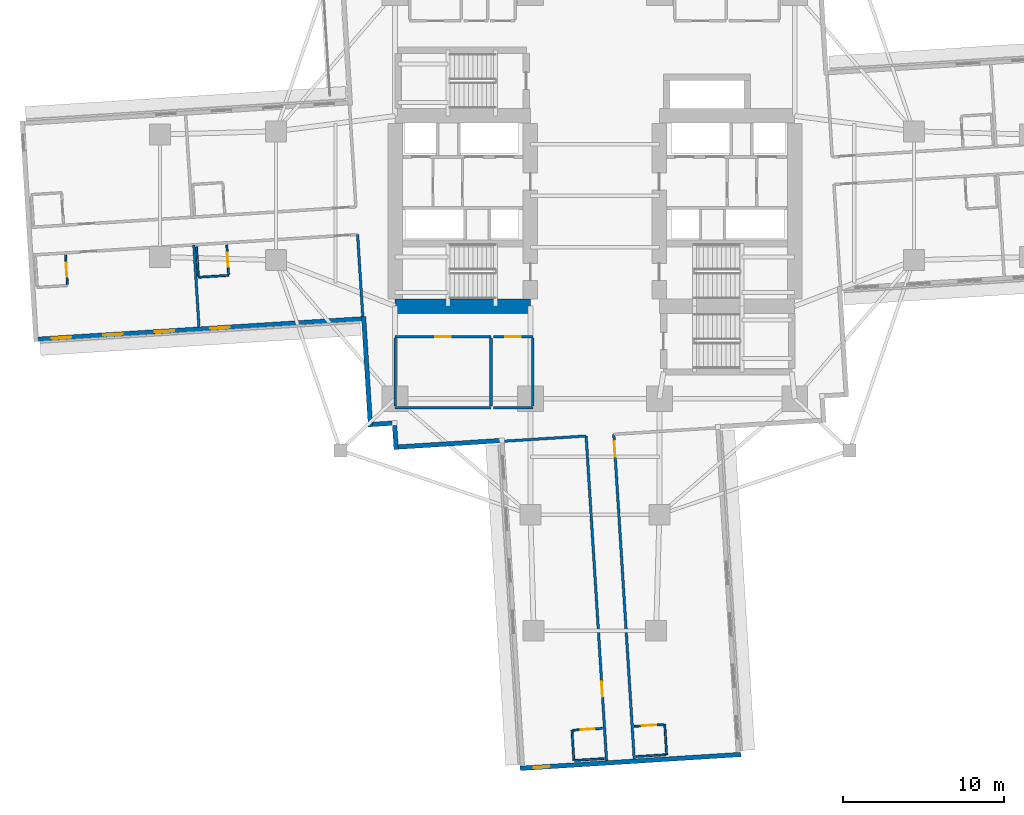
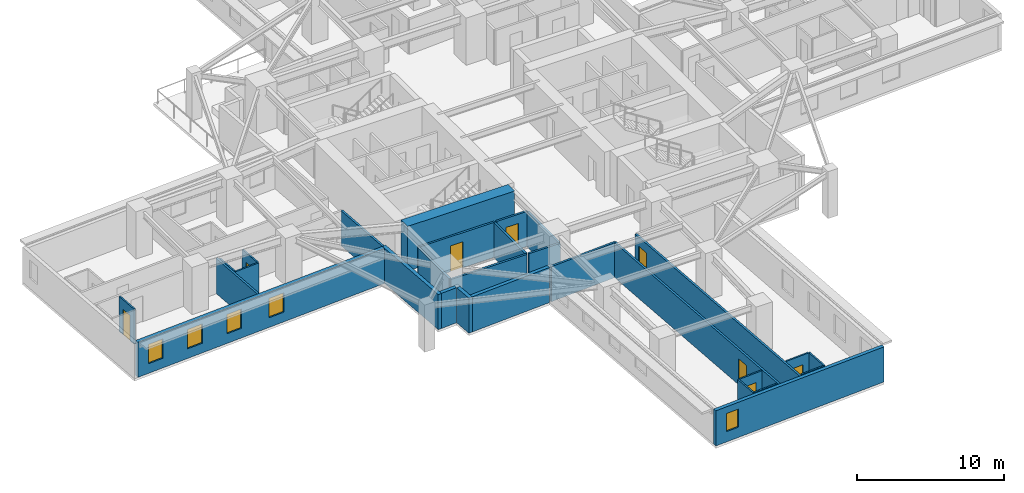
# One storey, part 3 of 14: 29 walls, 8 doors, 5 windows, 13 openings.
"""IFC4 building model written with IfcOpenShell, lengths in metres."""

from ifc_helpers import new_model, si_unit, direction, frame, frame_2d, origin, place, context, subcontext, project, spatial, rectangle, extrude, material, layer, layer_set, type_object, element, fill, save


model = new_model("IFC4")

# Units and contexts
model_context = context("Model", 3, precision=1e-05, world=origin(), true_north=direction((0.0, 1.0)))
body_context = subcontext(model_context, "Body", "Model", "MODEL_VIEW")
ifc_project = project(units=[si_unit("LENGTHUNIT", "METRE"), si_unit("AREAUNIT", "SQUARE_METRE"), si_unit("VOLUMEUNIT", "CUBIC_METRE"), si_unit("PLANEANGLEUNIT", "RADIAN"), si_unit("MASSUNIT", "GRAM", prefix="KILO")], contexts=[model_context])

# Site, building, storey
site_placement = place(None, origin())
site = spatial("IfcSite", under=ifc_project, at=site_placement, CompositionType="ELEMENT")
building_placement = place(site_placement, origin())
building = spatial("IfcBuilding", under=site, at=building_placement, Name="Qingluan Cross Belvedere", CompositionType="ELEMENT")
storey_placement = place(building_placement, frame((0.0, 0.0, 39.300048828125)))
storey = spatial("IfcBuildingStorey", under=building, at=storey_placement, Name="L10", CompositionType="ELEMENT", Elevation=39.300048828125)

# Walls
ifc_material_1 = material(Name="Concrete C70", Category="concrete")
ifc_layer_1 = layer(ifc_material_1, 0.89990234375, Name="CoreShearWall_900")
ifc_layer_set_1 = layer_set([ifc_layer_1], Name="Concrete C70")
wall_type_1 = type_object("IfcWallType", Name="CoreShearWall_900", PredefinedType="SHEAR", material=ifc_layer_set_1)
wall_1_placement = place(storey_placement, frame((-12.39990234375, -6.85009765625, 0.0), z_axis=(0.0, 0.0, 1.0), x_axis=(1.0, 0.0, 0.0)))
element("IfcWall", 1, at=wall_1_placement, inside=storey, type_object=wall_type_1, Name="Split core W shear wall L10-S", PredefinedType="SHEAR", context=body_context, shape_type="SweptSolid", body=[
    extrude(rectangle(XDim=8.39990234375, YDim=0.89990234375, at=frame_2d((4.199951171875, 0.0))), origin(), (0.0, 0.0, 1.0), 3.699951171875),
])
ifc_material_2 = material(Name="Gypsum plasterboard on steel stud acoustic partition", Category="steel")
ifc_layer_2 = layer(ifc_material_2, 0.159912109375, Name="CorridorPartition_160")
ifc_layer_set_2 = layer_set([ifc_layer_2], Name="Gypsum plasterboard on steel stud acoustic partition")
wall_type_2 = type_object("IfcWallType", Name="CorridorPartition_160", PredefinedType="PARTITIONING", material=ifc_layer_set_2)
wall_2_placement = place(storey_placement, frame((-12.39990234375, -13.14990234375, 0.0), z_axis=(0.0, 0.0, 1.0), x_axis=(1.0, 0.0, 0.0)))
element("IfcWall", 2, at=wall_2_placement, inside=storey, type_object=wall_type_2, Name="Partition L10:q_sw1:S", PredefinedType="PARTITIONING", context=body_context, shape_type="SweptSolid", body=[
    extrude(rectangle(XDim=5.949951171875, YDim=0.159912109375, at=frame_2d((2.97509765625, 0.0))), origin(), (0.0, 0.0, 1.0), 2.89990234375),
])

# Wall, opening, door
wall_3_placement = place(storey_placement, frame((-12.39990234375, -8.75, 0.0), z_axis=(0.0, 0.0, 1.0), x_axis=(1.0, 0.0, 0.0)))
wall_3 = element("IfcWall", 3, at=wall_3_placement, inside=storey, type_object=wall_type_2, Name="Partition L10:q_sw1:N", PredefinedType="PARTITIONING", context=body_context, shape_type="SweptSolid", body=[
    extrude(rectangle(XDim=5.949951171875, YDim=0.159912109375, at=frame_2d((2.97509765625, 0.0))), origin(), (0.0, 0.0, 1.0), 2.89990234375),
])
opening_1_placement = place(wall_3_placement, frame((2.4951171875, 0.0, 0.0)))
opening_1 = element("IfcOpeningElement", 4, at=opening_1_placement, cuts=wall_3, Name="Opening GD-10", PredefinedType="OPENING", context=body_context, shape_type="SweptSolid", body=[
    extrude(rectangle(XDim=0.9599609375, YDim=2.14990234375, at=frame_2d((0.47998046875, 1.074951171875))), frame((0.0, 0.08984375, 0.0), z_axis=(0.0, -1.0, 0.0), x_axis=(1.0, 0.0, 0.0)), (0.0, 0.0, 1.0), 0.179931640625),
])
ifc_material_3 = material(Name="Timber oak fire-rated acoustic guestroom door", Category="wood")
door_type_1 = type_object("IfcDoorType", Name="GuestEntryDoor_FD60", OperationType="NOTDEFINED", PredefinedType="DOOR", material=ifc_material_3)
door_1_placement = place(opening_1_placement, origin())
door_1 = element("IfcDoor", 5, at=door_1_placement, inside=storey, type_object=door_type_1, Name="Private boardroom suite L10 door", OperationType="SINGLE_SWING_LEFT", OverallHeight=2.14990234375, OverallWidth=0.9599609375, PredefinedType="DOOR", context=body_context, shape_type="SweptSolid", body=[
    extrude(rectangle(XDim=0.9599609375, YDim=2.14990234375, at=frame_2d((0.47998046875, 1.074951171875))), frame((0.0, 0.02490234375, 0.0), z_axis=(0.0, -1.0, 0.0), x_axis=(1.0, 0.0, 0.0)), (0.0, 0.0, 1.0), 0.050048828125),
])
fill(opening_1, door_1)

# Walls
for number, where, z_axis, x_axis, name in (
    (6, (-12.39990234375, -13.06494140625, 0.0), (0.0, 0.0, 1.0), (0.0, 1.0, 0.0), "Partition L10:q_sw1:W"),
    (7, (-6.449951171875, -13.06494140625, 0.0), (0.0, 0.0, 1.0), (0.0, 1.0, 0.0), "Partition L10:q_sw1:E"),
):
    element("IfcWall", number, at=place(storey_placement, frame(where, z_axis=z_axis, x_axis=x_axis)), inside=storey, type_object=wall_type_2, Name=name, PredefinedType="PARTITIONING", context=body_context, shape_type="SweptSolid", body=[
        extrude(rectangle(XDim=4.22998046875, YDim=0.159912109375, at=frame_2d((2.114990234375, 0.0))), origin(), (0.0, 0.0, 1.0), 2.89990234375),
    ])
wall_4_placement = place(storey_placement, frame((-6.2900390625, -13.14990234375, 0.0), z_axis=(0.0, 0.0, 1.0), x_axis=(1.0, 0.0, 0.0)))
element("IfcWall", 8, at=wall_4_placement, inside=storey, type_object=wall_type_2, Name="Partition L10:q_sw2:S", PredefinedType="PARTITIONING", context=body_context, shape_type="SweptSolid", body=[
    extrude(rectangle(XDim=2.43994140625, YDim=0.159912109375, at=frame_2d((1.219970703125, 0.0))), origin(), (0.0, 0.0, 1.0), 2.89990234375),
])

# Wall, opening, door
wall_5_placement = place(storey_placement, frame((-6.2900390625, -8.75, 0.0), z_axis=(0.0, 0.0, 1.0), x_axis=(1.0, 0.0, 0.0)))
wall_5 = element("IfcWall", 9, at=wall_5_placement, inside=storey, type_object=wall_type_2, Name="Partition L10:q_sw2:N", PredefinedType="PARTITIONING", context=body_context, shape_type="SweptSolid", body=[
    extrude(rectangle(XDim=2.43994140625, YDim=0.159912109375, at=frame_2d((1.219970703125, 0.0))), origin(), (0.0, 0.0, 1.0), 2.89990234375),
])
opening_2_placement = place(wall_5_placement, frame((0.739990234375, 0.0, 0.0)))
opening_2 = element("IfcOpeningElement", 10, at=opening_2_placement, cuts=wall_5, Name="Opening GD-10", PredefinedType="OPENING", context=body_context, shape_type="SweptSolid", body=[
    extrude(rectangle(XDim=0.9599609375, YDim=2.14990234375, at=frame_2d((0.47998046875, 1.074951171875))), frame((0.0, 0.08984375, 0.0), z_axis=(0.0, -1.0, 0.0), x_axis=(1.0, 0.0, 0.0)), (0.0, 0.0, 1.0), 0.179931640625),
])
door_2_placement = place(opening_2_placement, origin())
door_2 = element("IfcDoor", 11, at=door_2_placement, inside=storey, type_object=door_type_1, Name="Southwest reading room L10 door", OperationType="SINGLE_SWING_RIGHT", OverallHeight=2.14990234375, OverallWidth=0.9599609375, PredefinedType="DOOR", context=body_context, shape_type="SweptSolid", body=[
    extrude(rectangle(XDim=0.9599609375, YDim=2.14990234375, at=frame_2d((0.47998046875, 1.074951171875))), frame((0.0, 0.02490234375, 0.0), z_axis=(0.0, -1.0, 0.0), x_axis=(1.0, 0.0, 0.0)), (0.0, 0.0, 1.0), 0.050048828125),
])
fill(opening_2, door_2)

# Walls
wall_6_placement = place(storey_placement, frame((-3.85009765625, -13.06494140625, 0.0), z_axis=(0.0, 0.0, 1.0), x_axis=(0.0, 1.0, 0.0)))
element("IfcWall", 12, at=wall_6_placement, inside=storey, type_object=wall_type_2, Name="Partition L10:q_sw2:E", PredefinedType="PARTITIONING", context=body_context, shape_type="SweptSolid", body=[
    extrude(rectangle(XDim=4.22998046875, YDim=0.159912109375, at=frame_2d((2.114990234375, 0.0))), origin(), (0.0, 0.0, 1.0), 2.89990234375),
])
for number, where, z_axis, x_axis, name in (
    (13, (-14.727783203125, -2.409423828125, 0.0), (0.0, 0.0, 1.0), (0.06280810744, -0.998025621735, 0.0), "Partition L10:W:s1"),
    (14, (-24.892578125, -3.049072265625, 0.0), (0.0, 0.0, 1.0), (0.062760351241, -0.998028625998, 0.0), "Partition L10:W:d1_0"),
):
    element("IfcWall", number, at=place(storey_placement, frame(where, z_axis=z_axis, x_axis=x_axis)), inside=storey, type_object=wall_type_2, Name=name, PredefinedType="PARTITIONING", context=body_context, shape_type="SweptSolid", body=[
        extrude(rectangle(XDim=5.092041015625, YDim=0.159912109375, at=frame_2d((2.5458984375, 0.0))), origin(), (0.0, 0.0, 1.0), 2.89990234375),
    ])

# Wall, opening, door
wall_7_placement = place(storey_placement, frame((1.172119140625, -14.8056640625, 0.0), z_axis=(0.0, 0.0, 1.0), x_axis=(0.062783460104, -0.998027172545, 0.0)))
wall_7 = element("IfcWall", 15, at=wall_7_placement, inside=storey, type_object=wall_type_2, Name="Partition L10:S:c0", PredefinedType="PARTITIONING", context=body_context, shape_type="SweptSolid", body=[
    extrude(rectangle(XDim=20.181884765625, YDim=0.159912109375, at=frame_2d((10.0908203125, 0.0))), origin(), (0.0, 0.0, 1.0), 2.89990234375),
])
opening_3_placement = place(wall_7_placement, frame((0.449951171875, 0.0, 0.0)))
opening_3 = element("IfcOpeningElement", 16, at=opening_3_placement, cuts=wall_7, Name="Opening GD-10", PredefinedType="OPENING", context=body_context, shape_type="SweptSolid", body=[
    extrude(rectangle(XDim=0.9599609375, YDim=2.14990234375, at=frame_2d((0.47998046875, 1.074951171875))), frame((0.0, 0.08984375, 0.0), z_axis=(0.0, -1.0, 0.0), x_axis=(1.0, 0.0, 0.0)), (0.0, 0.0, 1.0), 0.179931640625),
])
door_3_placement = place(opening_3_placement, origin())
door_3 = element("IfcDoor", 17, at=door_3_placement, inside=storey, type_object=door_type_1, Name="Guest entry fire door 1013", OperationType="SINGLE_SWING_LEFT", OverallHeight=2.14990234375, OverallWidth=0.9599609375, PredefinedType="DOOR", context=body_context, shape_type="SweptSolid", body=[
    extrude(rectangle(XDim=0.9599609375, YDim=2.14990234375, at=frame_2d((0.47998046875, 1.074951171875))), frame((0.0, 0.02490234375, 0.0), z_axis=(0.0, -1.0, 0.0), x_axis=(1.0, 0.0, 0.0)), (0.0, 0.0, 1.0), 0.050048828125),
])
fill(opening_3, door_3)

wall_8_placement = place(storey_placement, frame((-0.544677734375, -14.91357421875, 0.0), z_axis=(0.0, 0.0, 1.0), x_axis=(0.062794751284, -0.99802646218, 0.0)))
wall_8 = element("IfcWall", 18, at=wall_8_placement, inside=storey, type_object=wall_type_2, Name="Partition L10:S:c1", PredefinedType="PARTITIONING", context=body_context, shape_type="SweptSolid", body=[
    extrude(rectangle(XDim=20.18212890625, YDim=0.159912109375, at=frame_2d((10.091064453125, 0.0))), origin(), (0.0, 0.0, 1.0), 2.89990234375),
])
opening_4_placement = place(wall_8_placement, frame((15.263916015625, 0.0, 0.0)))
opening_4 = element("IfcOpeningElement", 19, at=opening_4_placement, cuts=wall_8, Name="Opening GD-10", PredefinedType="OPENING", context=body_context, shape_type="SweptSolid", body=[
    extrude(rectangle(XDim=0.9599609375, YDim=2.14990234375, at=frame_2d((0.47998046875, 1.074951171875))), frame((0.0, 0.08984375, 0.0), z_axis=(0.0, -1.0, 0.0), x_axis=(1.0, 0.0, 0.0)), (0.0, 0.0, 1.0), 0.179931640625),
])
door_4_placement = place(opening_4_placement, origin())
door_4 = element("IfcDoor", 20, at=door_4_placement, inside=storey, type_object=door_type_1, Name="Guest entry fire door 1014", OperationType="SINGLE_SWING_LEFT", OverallHeight=2.14990234375, OverallWidth=0.9599609375, PredefinedType="DOOR", context=body_context, shape_type="SweptSolid", body=[
    extrude(rectangle(XDim=0.9599609375, YDim=2.14990234375, at=frame_2d((0.47998046875, 1.074951171875))), frame((0.0, 0.02490234375, 0.0), z_axis=(0.0, -1.0, 0.0), x_axis=(1.0, 0.0, 0.0)), (0.0, 0.0, 1.0), 0.050048828125),
])
fill(opening_4, door_4)

# Wall
wall_9_placement = place(storey_placement, frame((-0.544677734375, -14.91357421875, 0.0), z_axis=(0.0, 0.0, 1.0), x_axis=(-0.998025838074, -0.062804669704, 0.0)))
element("IfcWall", 21, at=wall_9_placement, inside=storey, type_object=wall_type_2, Name="Partition L10:S:s1", PredefinedType="PARTITIONING", context=body_context, shape_type="SweptSolid", body=[
    extrude(rectangle(XDim=5.239990234375, YDim=0.159912109375, at=frame_2d((2.6201171875, 0.0))), origin(), (0.0, 0.0, 1.0), 2.89990234375),
])

# Wall, opening, door
ifc_material_4 = material(Name="Moisture-resistant gypsum board lining")
ifc_layer_3 = layer(ifc_material_4, 0.1201171875, Name="EnsuiteWetPartition_120")
ifc_layer_set_3 = layer_set([ifc_layer_3], Name="Moisture-resistant gypsum board lining")
wall_type_3 = type_object("IfcWallType", Name="EnsuiteWetPartition_120", PredefinedType="PARTITIONING", material=ifc_layer_set_3)
wall_10_placement = place(storey_placement, frame((-22.733642578125, -4.877197265625, 0.0), z_axis=(0.0, 0.0, 1.0), x_axis=(-0.062779145668, 0.998027443946, 0.0)))
wall_10 = element("IfcWall", 22, at=wall_10_placement, inside=storey, type_object=wall_type_3, Name="Partition L10:W:bs1_0", PredefinedType="PARTITIONING", context=body_context, shape_type="SweptSolid", body=[
    extrude(rectangle(XDim=1.820068359375, YDim=0.1201171875, at=frame_2d((0.91015625, 0.0))), origin(), (0.0, 0.0, 1.0), 2.89990234375),
])
opening_5_placement = place(wall_10_placement, frame((0.469970703125, 0.0, 0.0)))
opening_5 = element("IfcOpeningElement", 23, at=opening_5_placement, cuts=wall_10, Name="Opening BD-09", PredefinedType="OPENING", context=body_context, shape_type="SweptSolid", body=[
    extrude(rectangle(XDim=0.8798828125, YDim=2.10009765625, at=frame_2d((0.43994140625, 1.050048828125))), frame((0.0, 0.070068359375, 0.0), z_axis=(0.0, -1.0, 0.0), x_axis=(1.0, 0.0, 0.0)), (0.0, 0.0, 1.0), 0.14013671875),
])
ifc_material_5 = material(Name="Moisture-sealed timber en-suite door", Category="wood")
door_type_2 = type_object("IfcDoorType", Name="BathroomDoor_880", OperationType="NOTDEFINED", PredefinedType="DOOR", material=ifc_material_5)
door_5_placement = place(opening_5_placement, origin())
door_5 = element("IfcDoor", 24, at=door_5_placement, inside=storey, type_object=door_type_2, Name="Bathroom door 1007", OperationType="SINGLE_SWING_RIGHT", OverallHeight=2.10009765625, OverallWidth=0.8798828125, PredefinedType="DOOR", context=body_context, shape_type="SweptSolid", body=[
    extrude(rectangle(XDim=0.8798828125, YDim=2.10009765625, at=frame_2d((0.43994140625, 1.050048828125))), frame((0.0, 0.02490234375, 0.0), z_axis=(0.0, -1.0, 0.0), x_axis=(1.0, 0.0, 0.0)), (0.0, 0.0, 1.0), 0.050048828125),
])
fill(opening_5, door_5)

# Walls
wall_11_placement = place(storey_placement, frame((-24.60986328125, -4.9951171875, 0.0), z_axis=(0.0, 0.0, 1.0), x_axis=(-0.062779145668, 0.998027443946, 0.0)))
element("IfcWall", 25, at=wall_11_placement, inside=storey, type_object=wall_type_3, Name="Partition L10:W:bw1_0", PredefinedType="PARTITIONING", context=body_context, shape_type="SweptSolid", body=[
    extrude(rectangle(XDim=1.820068359375, YDim=0.1201171875, at=frame_2d((0.91015625, 0.0))), origin(), (0.0, 0.0, 1.0), 2.89990234375),
])
wall_12_placement = place(storey_placement, frame((-22.7294921875, -4.94189453125, 0.0), z_axis=(0.0, 0.0, 1.0), x_axis=(-0.998022650819, -0.062855297722, 0.0)))
element("IfcWall", 26, at=wall_12_placement, inside=storey, type_object=wall_type_3, Name="Partition L10:W:bc1_0", PredefinedType="PARTITIONING", context=body_context, shape_type="SweptSolid", body=[
    extrude(rectangle(XDim=1.8798828125, YDim=0.1201171875, at=frame_2d((0.93994140625, 0.0))), origin(), (0.0, 0.0, 1.0), 2.89990234375),
])

# Wall, opening, door
wall_13_placement = place(storey_placement, frame((-32.73876953125, -5.506591796875, 0.0), z_axis=(0.0, 0.0, 1.0), x_axis=(-0.062779145668, 0.998027443946, 0.0)))
wall_13 = element("IfcWall", 27, at=wall_13_placement, inside=storey, type_object=wall_type_3, Name="Partition L10:W:bs1_1", PredefinedType="PARTITIONING", context=body_context, shape_type="SweptSolid", body=[
    extrude(rectangle(XDim=1.820068359375, YDim=0.1201171875, at=frame_2d((0.91015625, 0.0))), origin(), (0.0, 0.0, 1.0), 2.89990234375),
])
opening_6_placement = place(wall_13_placement, frame((0.469970703125, 0.0, 0.0)))
opening_6 = element("IfcOpeningElement", 28, at=opening_6_placement, cuts=wall_13, Name="Opening BD-09", PredefinedType="OPENING", context=body_context, shape_type="SweptSolid", body=[
    extrude(rectangle(XDim=0.8798828125, YDim=2.10009765625, at=frame_2d((0.43994140625, 1.050048828125))), frame((0.0, 0.070068359375, 0.0), z_axis=(0.0, -1.0, 0.0), x_axis=(1.0, 0.0, 0.0)), (0.0, 0.0, 1.0), 0.14013671875),
])
door_6_placement = place(opening_6_placement, origin())
door_6 = element("IfcDoor", 29, at=door_6_placement, inside=storey, type_object=door_type_2, Name="Bathroom door 1008", OperationType="SINGLE_SWING_RIGHT", OverallHeight=2.10009765625, OverallWidth=0.8798828125, PredefinedType="DOOR", context=body_context, shape_type="SweptSolid", body=[
    extrude(rectangle(XDim=0.8798828125, YDim=2.10009765625, at=frame_2d((0.43994140625, 1.050048828125))), frame((0.0, 0.02490234375, 0.0), z_axis=(0.0, -1.0, 0.0), x_axis=(1.0, 0.0, 0.0)), (0.0, 0.0, 1.0), 0.050048828125),
])
fill(opening_6, door_6)

wall_14_placement = place(storey_placement, frame((2.45263671875, -32.930908203125, 0.0), z_axis=(0.0, 0.0, 1.0), x_axis=(0.998027443946, 0.062779145668, 0.0)))
wall_14 = element("IfcWall", 30, at=wall_14_placement, inside=storey, type_object=wall_type_3, Name="Partition L10:S:bs0_0", PredefinedType="PARTITIONING", context=body_context, shape_type="SweptSolid", body=[
    extrude(rectangle(XDim=1.820068359375, YDim=0.1201171875, at=frame_2d((0.91015625, 0.0))), origin(), (0.0, 0.0, 1.0), 2.89990234375),
])
opening_7_placement = place(wall_14_placement, frame((0.469970703125, 0.0, 0.0)))
opening_7 = element("IfcOpeningElement", 31, at=opening_7_placement, cuts=wall_14, Name="Opening BD-09", PredefinedType="OPENING", context=body_context, shape_type="SweptSolid", body=[
    extrude(rectangle(XDim=0.8798828125, YDim=2.10009765625, at=frame_2d((0.43994140625, 1.050048828125))), frame((0.0, 0.070068359375, 0.0), z_axis=(0.0, -1.0, 0.0), x_axis=(1.0, 0.0, 0.0)), (0.0, 0.0, 1.0), 0.14013671875),
])
door_7_placement = place(opening_7_placement, origin())
door_7 = element("IfcDoor", 32, at=door_7_placement, inside=storey, type_object=door_type_2, Name="Bathroom door 1013", OperationType="SINGLE_SWING_RIGHT", OverallHeight=2.10009765625, OverallWidth=0.8798828125, PredefinedType="DOOR", context=body_context, shape_type="SweptSolid", body=[
    extrude(rectangle(XDim=0.8798828125, YDim=2.10009765625, at=frame_2d((0.43994140625, 1.050048828125))), frame((0.0, 0.02490234375, 0.0), z_axis=(0.0, -1.0, 0.0), x_axis=(1.0, 0.0, 0.0)), (0.0, 0.0, 1.0), 0.050048828125),
])
fill(opening_7, door_7)

# Walls
wall_15_placement = place(storey_placement, frame((2.570556640625, -34.807373046875, 0.0), z_axis=(0.0, 0.0, 1.0), x_axis=(0.998027443946, 0.062779145668, 0.0)))
element("IfcWall", 33, at=wall_15_placement, inside=storey, type_object=wall_type_3, Name="Partition L10:S:bw0_0", PredefinedType="PARTITIONING", context=body_context, shape_type="SweptSolid", body=[
    extrude(rectangle(XDim=1.820068359375, YDim=0.1201171875, at=frame_2d((0.91015625, 0.0))), origin(), (0.0, 0.0, 1.0), 2.89990234375),
])
wall_16_placement = place(storey_placement, frame((4.333984375, -32.8125, 0.0), z_axis=(0.0, 0.0, 1.0), x_axis=(0.062717813936, -0.998031300018, 0.0)))
element("IfcWall", 34, at=wall_16_placement, inside=storey, type_object=wall_type_3, Name="Partition L10:S:bn0_0", PredefinedType="PARTITIONING", context=body_context, shape_type="SweptSolid", body=[
    extrude(rectangle(XDim=1.880126953125, YDim=0.1201171875, at=frame_2d((0.93994140625, 0.0))), origin(), (0.0, 0.0, 1.0), 2.89990234375),
])

# Wall, opening, door
wall_17_placement = place(storey_placement, frame((-1.35986328125, -33.1708984375, 0.0), z_axis=(0.0, 0.0, 1.0), x_axis=(0.998027443946, 0.062779145668, 0.0)))
wall_17 = element("IfcWall", 35, at=wall_17_placement, inside=storey, type_object=wall_type_3, Name="Partition L10:S:bs1_0", PredefinedType="PARTITIONING", context=body_context, shape_type="SweptSolid", body=[
    extrude(rectangle(XDim=1.820068359375, YDim=0.1201171875, at=frame_2d((0.91015625, 0.0))), origin(), (0.0, 0.0, 1.0), 2.89990234375),
])
opening_8_placement = place(wall_17_placement, frame((0.469970703125, 0.0, 0.0)))
opening_8 = element("IfcOpeningElement", 36, at=opening_8_placement, cuts=wall_17, Name="Opening BD-09", PredefinedType="OPENING", context=body_context, shape_type="SweptSolid", body=[
    extrude(rectangle(XDim=0.8798828125, YDim=2.10009765625, at=frame_2d((0.43994140625, 1.050048828125))), frame((0.0, 0.070068359375, 0.0), z_axis=(0.0, -1.0, 0.0), x_axis=(1.0, 0.0, 0.0)), (0.0, 0.0, 1.0), 0.14013671875),
])
door_8_placement = place(opening_8_placement, origin())
door_8 = element("IfcDoor", 37, at=door_8_placement, inside=storey, type_object=door_type_2, Name="Bathroom door 1014", OperationType="SINGLE_SWING_RIGHT", OverallHeight=2.10009765625, OverallWidth=0.8798828125, PredefinedType="DOOR", context=body_context, shape_type="SweptSolid", body=[
    extrude(rectangle(XDim=0.8798828125, YDim=2.10009765625, at=frame_2d((0.43994140625, 1.050048828125))), frame((0.0, 0.02490234375, 0.0), z_axis=(0.0, -1.0, 0.0), x_axis=(1.0, 0.0, 0.0)), (0.0, 0.0, 1.0), 0.050048828125),
])
fill(opening_8, door_8)

# Walls
wall_18_placement = place(storey_placement, frame((-1.24169921875, -35.047119140625, 0.0), z_axis=(0.0, 0.0, 1.0), x_axis=(0.998027443946, 0.062779145668, 0.0)))
element("IfcWall", 38, at=wall_18_placement, inside=storey, type_object=wall_type_3, Name="Partition L10:S:bw1_0", PredefinedType="PARTITIONING", context=body_context, shape_type="SweptSolid", body=[
    extrude(rectangle(XDim=1.820068359375, YDim=0.1201171875, at=frame_2d((0.91015625, 0.0))), origin(), (0.0, 0.0, 1.0), 2.89990234375),
])
wall_19_placement = place(storey_placement, frame((-1.4248046875, -33.1748046875, 0.0), z_axis=(0.0, 0.0, 1.0), x_axis=(0.062847152131, -0.998023163794, 0.0)))
element("IfcWall", 39, at=wall_19_placement, inside=storey, type_object=wall_type_3, Name="Partition L10:S:bc1_0", PredefinedType="PARTITIONING", context=body_context, shape_type="SweptSolid", body=[
    extrude(rectangle(XDim=1.880126953125, YDim=0.1201171875, at=frame_2d((0.93994140625, 0.0))), origin(), (0.0, 0.0, 1.0), 2.89990234375),
])

# Wall, openings, windows
ifc_material_6 = material(Name="Precast concrete C45", Category="concrete")
ifc_layer_4 = layer(ifc_material_6, 0.280029296875, Name="PrecastFacadeWall_280")
ifc_layer_set_4 = layer_set([ifc_layer_4], Name="Precast concrete C45")
wall_type_4 = type_object("IfcWallType", Name="PrecastFacadeWall_280", PredefinedType="STANDARD", material=ifc_layer_set_4)
wall_20_placement = place(storey_placement, frame((-34.548828125, -8.906982421875, 0.0), z_axis=(0.0, 0.0, 1.0), x_axis=(0.99802635503, 0.06279645424, 0.0)))
wall_20 = element("IfcWall", 40, at=wall_20_placement, inside=storey, type_object=wall_type_4, Name="Facade wall L10-WB", PredefinedType="STANDARD", context=body_context, shape_type="SweptSolid", body=[
    extrude(rectangle(XDim=20.099853515625, YDim=0.280029296875, at=frame_2d((10.0498046875, 0.0))), origin(), (0.0, 0.0, 1.0), 2.909912109375),
])
opening_9_placement = place(wall_20_placement, frame((0.85009765625, 0.0, 0.800048828125)))
opening_9 = element("IfcOpeningElement", 41, at=opening_9_placement, cuts=wall_20, Name="Opening W-02", PredefinedType="OPENING", context=body_context, shape_type="SweptSolid", body=[
    extrude(rectangle(XDim=1.199951171875, YDim=1.60009765625, at=frame_2d((0.60009765625, 0.800048828125))), frame((0.0, 0.14990234375, 0.0), z_axis=(0.0, -1.0, 0.0), x_axis=(1.0, 0.0, 0.0)), (0.0, 0.0, 1.0), 0.300048828125),
])
opening_10_placement = place(wall_20_placement, frame((4.050048828125, 0.0, 0.800048828125)))
opening_10 = element("IfcOpeningElement", 42, at=opening_10_placement, cuts=wall_20, Name="Opening W-02", PredefinedType="OPENING", context=body_context, shape_type="SweptSolid", body=[
    extrude(rectangle(XDim=1.199951171875, YDim=1.60009765625, at=frame_2d((0.60009765625, 0.800048828125))), frame((0.0, 0.14990234375, 0.0), z_axis=(0.0, -1.0, 0.0), x_axis=(1.0, 0.0, 0.0)), (0.0, 0.0, 1.0), 0.300048828125),
])
opening_11_placement = place(wall_20_placement, frame((7.25, 0.0, 0.800048828125)))
opening_11 = element("IfcOpeningElement", 43, at=opening_11_placement, cuts=wall_20, Name="Opening W-02", PredefinedType="OPENING", context=body_context, shape_type="SweptSolid", body=[
    extrude(rectangle(XDim=1.199951171875, YDim=1.60009765625, at=frame_2d((0.60009765625, 0.800048828125))), frame((0.0, 0.14990234375, 0.0), z_axis=(0.0, -1.0, 0.0), x_axis=(1.0, 0.0, 0.0)), (0.0, 0.0, 1.0), 0.300048828125),
])
opening_12_placement = place(wall_20_placement, frame((10.699951171875, 0.0, 0.800048828125)))
opening_12 = element("IfcOpeningElement", 44, at=opening_12_placement, cuts=wall_20, Name="Opening W-02", PredefinedType="OPENING", context=body_context, shape_type="SweptSolid", body=[
    extrude(rectangle(XDim=1.199951171875, YDim=1.60009765625, at=frame_2d((0.60009765625, 0.800048828125))), frame((0.0, 0.14990234375, 0.0), z_axis=(0.0, -1.0, 0.0), x_axis=(1.0, 0.0, 0.0)), (0.0, 0.0, 1.0), 0.300048828125),
])
ifc_material_7 = material(Name="Thermally broken triple Low-E glass in aluminium frame", Category="aluminium")
window_type_1 = type_object("IfcWindowType", Name="TriRibbonWin_1200x1600", PartitioningType="SINGLE_PANEL", PredefinedType="WINDOW", material=ifc_material_7)
window_1_placement = place(opening_9_placement, origin())
window_1 = element("IfcWindow", 45, at=window_1_placement, inside=storey, type_object=window_type_1, Name="Ribbon window L10-WB-1", OverallHeight=1.60009765625, OverallWidth=1.199951171875, PartitioningType="SINGLE_PANEL", PredefinedType="WINDOW", context=body_context, shape_type="SweptSolid", body=[
    extrude(rectangle(XDim=1.199951171875, YDim=1.60009765625, at=frame_2d((0.60009765625, 0.800048828125))), frame((0.0, 0.030029296875, 0.0), z_axis=(0.0, -1.0, 0.0), x_axis=(1.0, 0.0, 0.0)), (0.0, 0.0, 1.0), 0.06005859375),
])
fill(opening_9, window_1)
window_2_placement = place(opening_10_placement, origin())
window_2 = element("IfcWindow", 46, at=window_2_placement, inside=storey, type_object=window_type_1, Name="Ribbon window L10-WB-2", OverallHeight=1.60009765625, OverallWidth=1.199951171875, PartitioningType="SINGLE_PANEL", PredefinedType="WINDOW", context=body_context, shape_type="SweptSolid", body=[
    extrude(rectangle(XDim=1.199951171875, YDim=1.60009765625, at=frame_2d((0.60009765625, 0.800048828125))), frame((0.0, 0.030029296875, 0.0), z_axis=(0.0, -1.0, 0.0), x_axis=(1.0, 0.0, 0.0)), (0.0, 0.0, 1.0), 0.06005859375),
])
fill(opening_10, window_2)
window_3_placement = place(opening_11_placement, origin())
window_3 = element("IfcWindow", 47, at=window_3_placement, inside=storey, type_object=window_type_1, Name="Ribbon window L10-WB-3", OverallHeight=1.60009765625, OverallWidth=1.199951171875, PartitioningType="SINGLE_PANEL", PredefinedType="WINDOW", context=body_context, shape_type="SweptSolid", body=[
    extrude(rectangle(XDim=1.199951171875, YDim=1.60009765625, at=frame_2d((0.60009765625, 0.800048828125))), frame((0.0, 0.030029296875, 0.0), z_axis=(0.0, -1.0, 0.0), x_axis=(1.0, 0.0, 0.0)), (0.0, 0.0, 1.0), 0.06005859375),
])
fill(opening_11, window_3)
window_4_placement = place(opening_12_placement, origin())
window_4 = element("IfcWindow", 48, at=window_4_placement, inside=storey, type_object=window_type_1, Name="Ribbon window L10-WB-4", OverallHeight=1.60009765625, OverallWidth=1.199951171875, PartitioningType="SINGLE_PANEL", PredefinedType="WINDOW", context=body_context, shape_type="SweptSolid", body=[
    extrude(rectangle(XDim=1.199951171875, YDim=1.60009765625, at=frame_2d((0.60009765625, 0.800048828125))), frame((0.0, 0.030029296875, 0.0), z_axis=(0.0, -1.0, 0.0), x_axis=(1.0, 0.0, 0.0)), (0.0, 0.0, 1.0), 0.06005859375),
])
fill(opening_12, window_4)

# Wall, opening, window
wall_21_placement = place(storey_placement, frame((-4.637451171875, -35.541259765625, 0.0), z_axis=(0.0, 0.0, 1.0), x_axis=(0.998026318072, 0.062797041623, 0.0)))
wall_21 = element("IfcWall", 49, at=wall_21_placement, inside=storey, type_object=wall_type_4, Name="Arm tip precast facade wall L10-S", PredefinedType="STANDARD", context=body_context, shape_type="SweptSolid", body=[
    extrude(rectangle(XDim=13.719970703125, YDim=0.280029296875, at=frame_2d((6.85986328125, 0.0))), origin(), (0.0, 0.0, 1.0), 2.909912109375),
])
opening_13_placement = place(wall_21_placement, frame((0.85009765625, 0.0, 0.85009765625)))
opening_13 = element("IfcOpeningElement", 50, at=opening_13_placement, cuts=wall_21, Name="Opening W-03", PredefinedType="OPENING", context=body_context, shape_type="SweptSolid", body=[
    extrude(rectangle(XDim=1.0, YDim=1.5, at=frame_2d((0.5, 0.75))), frame((0.0, 0.14990234375, 0.0), z_axis=(0.0, -1.0, 0.0), x_axis=(1.0, 0.0, 0.0)), (0.0, 0.0, 1.0), 0.300048828125),
])
ifc_material_8 = material(Name="Thermally broken triple Low-E glass in aluminium frame", Category="aluminium")
window_type_2 = type_object("IfcWindowType", Name="TriApexWin_1000x1500", PartitioningType="SINGLE_PANEL", PredefinedType="WINDOW", material=ifc_material_8)
window_5_placement = place(opening_13_placement, origin())
window_5 = element("IfcWindow", 51, at=window_5_placement, inside=storey, type_object=window_type_2, Name="Arm tip triangular window L10-S", OverallHeight=1.5, OverallWidth=1.0, PartitioningType="SINGLE_PANEL", PredefinedType="WINDOW", context=body_context, shape_type="SweptSolid", body=[
    extrude(rectangle(XDim=1.0, YDim=1.5, at=frame_2d((0.5, 0.75))), frame((0.0, 0.030029296875, 0.0), z_axis=(0.0, -1.0, 0.0), x_axis=(1.0, 0.0, 0.0)), (0.0, 0.0, 1.0), 0.06005859375),
])
fill(opening_13, window_5)

# Walls
wall_22_placement = place(storey_placement, frame((-14.357666015625, -7.496337890625, 0.0), z_axis=(0.0, 0.0, 1.0), x_axis=(0.062779317195, -0.998027433156, 0.0)))
element("IfcWall", 52, at=wall_22_placement, inside=storey, type_object=wall_type_4, Name="Corner wall L10-SW1", PredefinedType="STANDARD", context=body_context, shape_type="SweptSolid", body=[
    extrude(rectangle(XDim=6.85986328125, YDim=0.280029296875, at=frame_2d((3.429931640625, 0.0))), origin(), (0.0, 0.0, 1.0), 2.909912109375),
])
wall_23_placement = place(storey_placement, frame((-13.7958984375, -14.1943359375, 0.0), z_axis=(0.0, 0.0, 1.0), x_axis=(0.998023660242, 0.06283926796, 0.0)))
element("IfcWall", 53, at=wall_23_placement, inside=storey, type_object=wall_type_4, Name="Corner wall L10-SW2", PredefinedType="STANDARD", context=body_context, shape_type="SweptSolid", body=[
    extrude(rectangle(XDim=1.219970703125, YDim=0.280029296875, at=frame_2d((0.60986328125, 0.0))), origin(), (0.0, 0.0, 1.0), 2.909912109375),
])
wall_24_placement = place(storey_placement, frame((-12.429931640625, -14.24853515625, 0.0), z_axis=(0.0, 0.0, 1.0), x_axis=(0.062824119533, -0.998024613927, 0.0)))
element("IfcWall", 54, at=wall_24_placement, inside=storey, type_object=wall_type_4, Name="Corner wall L10-SW3", PredefinedType="STANDARD", context=body_context, shape_type="SweptSolid", body=[
    extrude(rectangle(XDim=1.5, YDim=0.280029296875, at=frame_2d((0.75, 0.0))), origin(), (0.0, 0.0, 1.0), 2.909912109375),
])
wall_25_placement = place(storey_placement, frame((-12.20458984375, -15.59716796875, 0.0), z_axis=(0.0, 0.0, 1.0), x_axis=(0.998024885752, 0.062819801181, 0.0)))
element("IfcWall", 55, at=wall_25_placement, inside=storey, type_object=wall_type_4, Name="Corner wall L10-SW4", PredefinedType="STANDARD", context=body_context, shape_type="SweptSolid", body=[
    extrude(rectangle(XDim=6.2998046875, YDim=0.280029296875, at=frame_2d((3.14990234375, 0.0))), origin(), (0.0, 0.0, 1.0), 2.909912109375),
])

save(model, "model.ifc")
